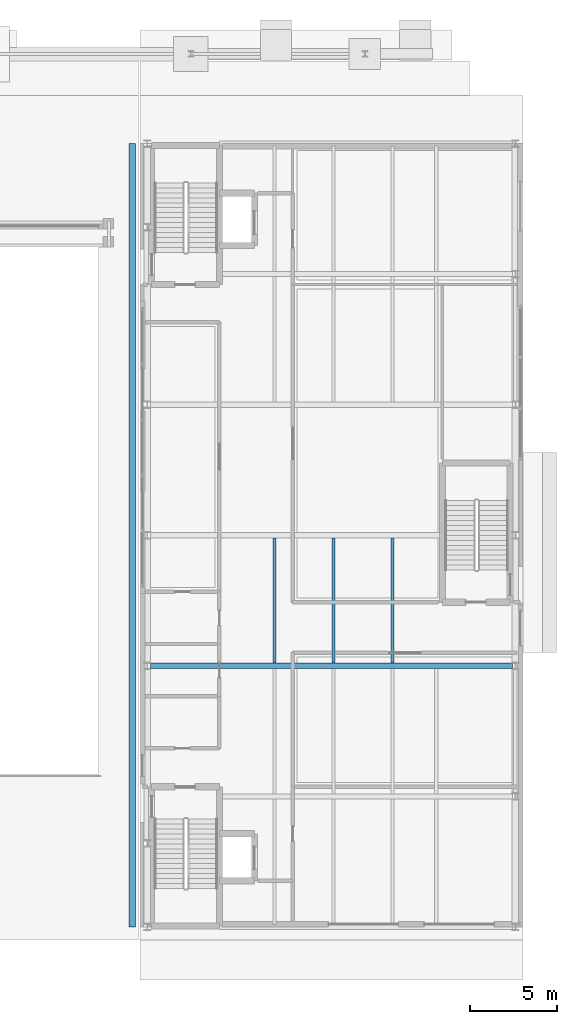
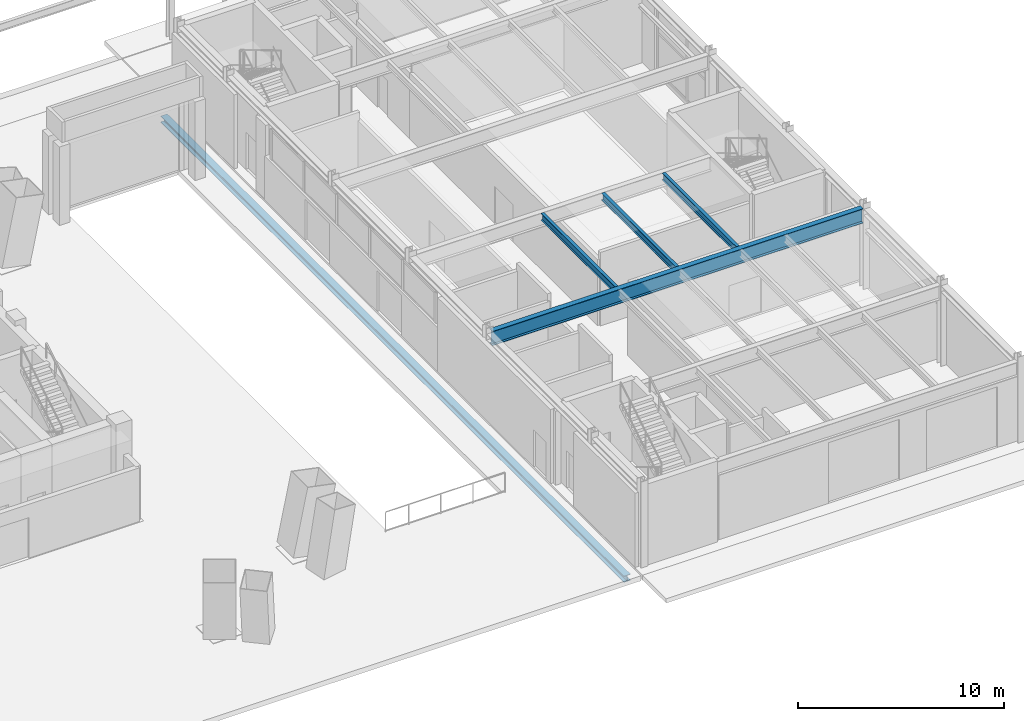
# One storey, part 6 of 21: 5 beams.
"""IFC4 building model written with IfcOpenShell, lengths in metres."""

from ifc_helpers import new_model, si_unit, direction, frame, origin, origin_2d, place, context, subcontext, project, spatial, i_section, extrude, material, material_profile, profile_set, type_object, element, save


model = new_model("IFC4")

# Units and contexts
model_context = context("Model", 3, precision=1e-05, world=origin(), true_north=direction((0.0, 1.0)))
body_context = subcontext(model_context, "Body", "Model", "MODEL_VIEW")
ifc_project = project(units=[si_unit("LENGTHUNIT", "METRE"), si_unit("AREAUNIT", "SQUARE_METRE"), si_unit("VOLUMEUNIT", "CUBIC_METRE"), si_unit("PLANEANGLEUNIT", "RADIAN"), si_unit("MASSUNIT", "GRAM", prefix="KILO")], contexts=[model_context])

# Site, building, storey
site_placement = place(None, origin())
site = spatial("IfcSite", under=ifc_project, at=site_placement, CompositionType="ELEMENT")
building_placement = place(site_placement, origin())
building = spatial("IfcBuilding", under=site, at=building_placement, Name="Mersakhor Tower and Convention Hall", CompositionType="ELEMENT")
storey_placement = place(building_placement, origin())
storey = spatial("IfcBuildingStorey", under=building, at=storey_placement, Name="L00", CompositionType="ELEMENT", Elevation=0.0)

# Beams
ifc_material_1 = material(Name="Steel S355", Category="steel")
ifc_material_profile_1 = material_profile(ifc_material_1, i_section(OverallWidth=0.1787109375, OverallDepth=0.409423828125, WebThickness=0.0087890625, FlangeThickness=0.014404296875, at=origin_2d()), Name="UB 406x178x67")
ifc_profile_set_1 = profile_set([ifc_material_profile_1], Name="Steel S355")
beam_type_1 = type_object("IfcBeamType", Name="BM-JST-406", PredefinedType="JOIST", material=ifc_profile_set_1)
for number, where, z_axis, x_axis, name in (
    (1, (62.800048828125, 18.39697265625, 4.5751953125), (0.0, 1.0, 0.0), (-1.0, 0.0, 0.0), "Convention L00 Composite Floor Joist CJ-3-62"),
    (2, (66.199951171875, 18.39697265625, 4.5751953125), (0.0, 1.0, 0.0), (-1.0, 0.0, 0.0), "Convention L00 Composite Floor Joist CJ-3-66"),
    (3, (69.60009765625, 18.39697265625, 4.5751953125), (0.0, 1.0, 0.0), (-1.0, 0.0, 0.0), "Convention L00 Composite Floor Joist CJ-3-69"),
):
    element("IfcBeam", number, at=place(storey_placement, frame(where, z_axis=z_axis, x_axis=x_axis)), inside=storey, type_object=beam_type_1, Name=name, PredefinedType="JOIST", context=body_context, shape_type="SweptSolid", body=[
        extrude(i_section(OverallWidth=0.1787109375, OverallDepth=0.409423828125, WebThickness=0.0087890625, FlangeThickness=0.014404296875, at=origin_2d()), origin(), (0.0, 0.0, 1.0), 7.2060546875),
    ])
ifc_material_2 = material(Name="Steel S355", Category="steel")
ifc_material_profile_2 = material_profile(ifc_material_2, i_section(OverallWidth=0.293701171875, OverallDepth=0.850830078125, WebThickness=0.01611328125, FlangeThickness=0.02685546875, at=origin_2d()), Name="UB 838x292x226")
ifc_profile_set_2 = profile_set([ifc_material_profile_2], Name="Steel S355")
beam_type_2 = type_object("IfcBeamType", Name="BM-PR-838", PredefinedType="BEAM", material=ifc_profile_set_2)
beam_1_placement = place(storey_placement, frame((55.679931640625, 18.25, 4.3544921875), z_axis=(1.0, 0.0, 0.0), x_axis=(0.0, 1.0, 0.0)))
element("IfcBeam", 4, at=beam_1_placement, inside=storey, type_object=beam_type_2, Name="Convention L00 Clear-Span Girder CG-3", PredefinedType="BEAM", context=body_context, shape_type="SweptSolid", body=[
    extrude(i_section(OverallWidth=0.293701171875, OverallDepth=0.850830078125, WebThickness=0.01611328125, FlangeThickness=0.02685546875, at=origin_2d()), origin(), (0.0, 0.0, 1.0), 20.7900390625),
])
ifc_material_3 = material(Name="Steel S355", Category="steel")
ifc_material_profile_3 = material_profile(ifc_material_3, i_section(OverallWidth=0.374755859375, OverallDepth=0.37451171875, WebThickness=0.0166015625, FlangeThickness=0.027099609375, at=origin_2d()), Name="UC 356x368x202")
ifc_profile_set_3 = profile_set([ifc_material_profile_3], Name="Steel S355")
beam_type_3 = type_object("IfcBeamType", Name="BM-SPD-UC356", PredefinedType="SPANDREL", material=ifc_profile_set_3)
beam_2_placement = place(storey_placement, frame((54.64990234375, 3.25, -0.487060546875), z_axis=(0.0, 1.0, 0.0), x_axis=(-1.0, 0.0, 0.0)))
element("IfcBeam", 5, at=beam_2_placement, inside=storey, type_object=beam_type_3, Name="L00 Plaza Movement Joint West Edge Beam", PredefinedType="SPANDREL", context=body_context, shape_type="SweptSolid", body=[
    extrude(i_section(OverallWidth=0.374755859375, OverallDepth=0.37451171875, WebThickness=0.0166015625, FlangeThickness=0.027099609375, at=origin_2d()), origin(), (0.0, 0.0, 1.0), 45.0),
])

save(model, "model.ifc")
